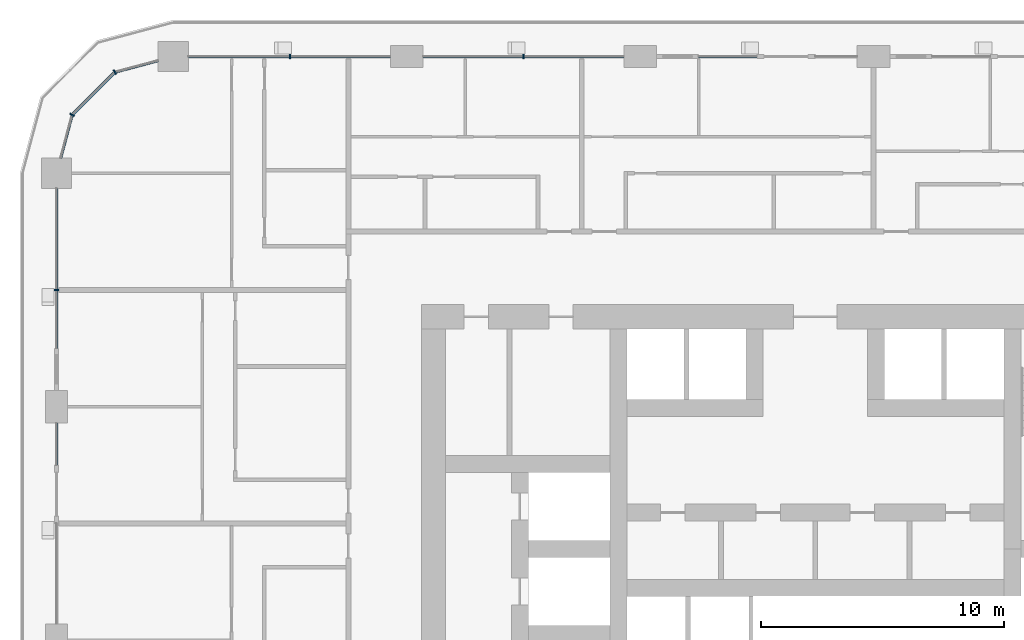
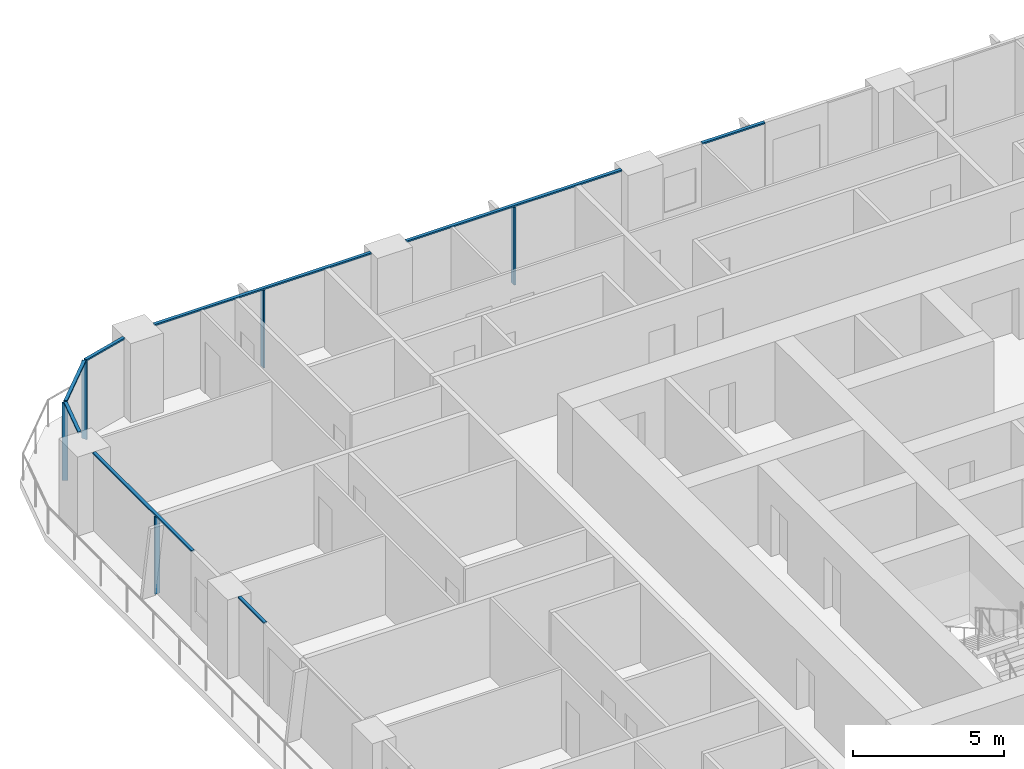
# One storey, part 5 of 21: 13 members, 6 elements without a shape of their own.
"""IFC4 building model written with IfcOpenShell, lengths in metres."""

from ifc_helpers import new_model, si_unit, direction, frame, origin, origin_2d, place, context, subcontext, project, spatial, rectangle, extrude, material, layer, layer_set, material_profile, profile_set, type_object, element, aggregate, save


model = new_model("IFC4")

# Units and contexts
model_context = context("Model", 3, precision=1e-05, world=origin(), true_north=direction((0.0, 1.0)))
body_context = subcontext(model_context, "Body", "Model", "MODEL_VIEW")
ifc_project = project(units=[si_unit("LENGTHUNIT", "METRE"), si_unit("AREAUNIT", "SQUARE_METRE"), si_unit("VOLUMEUNIT", "CUBIC_METRE"), si_unit("PLANEANGLEUNIT", "RADIAN"), si_unit("MASSUNIT", "GRAM", prefix="KILO")], contexts=[model_context])

# Site, building, storey
site_placement = place(None, origin())
site = spatial("IfcSite", under=ifc_project, at=site_placement, CompositionType="ELEMENT")
building_placement = place(site_placement, origin())
building = spatial("IfcBuilding", under=site, at=building_placement, Name="Madar Terraces", CompositionType="ELEMENT")
storey_placement = place(building_placement, frame((0.0, 0.0, 46.89990234375)))
storey = spatial("IfcBuildingStorey", under=building, at=storey_placement, Name="L11", CompositionType="ELEMENT", Elevation=46.89990234375)

# Curtain wall, member
ifc_material_1 = material(Name="Glass, ceramic frit dark grey, with black aluminium frame", Category="aluminium")
ifc_layer = layer(ifc_material_1, 0.199951171875)
ifc_layer_set = layer_set([ifc_layer], Name="Facade curtain wall, fritted glass")
curtain_wall_type = type_object("IfcCurtainWallType", Name="Facade curtain wall, fritted glass", PredefinedType="NOTDEFINED", material=ifc_layer_set)
curtain_wall_1_placement = place(storey_placement, origin())
curtain_wall_1 = element("IfcCurtainWall", 1, at=curtain_wall_1_placement, inside=storey, type_object=curtain_wall_type, Name="Outer skin curtain wall north bay 4", PredefinedType="NOTDEFINED")
ifc_material_2 = material(Name="Aluminium, black anodised", Category="aluminium")
ifc_material_profile_1 = material_profile(ifc_material_2, rectangle(XDim=0.199951171875, YDim=0.06005859375, at=origin_2d()), Name="Facade mullion 60x200")
ifc_profile_set_1 = profile_set([ifc_material_profile_1], Name="Aluminium, black anodised")
member_type_1 = type_object("IfcMemberType", Name="Facade mullion 60x200", PredefinedType="MULLION", material=ifc_profile_set_1)
member_1_placement = place(storey_placement, frame((19.199951171875, 48.0, 0.0), z_axis=(0.0, 0.0, 1.0), x_axis=(0.0, -1.0, 0.0)))
member_1 = element("IfcMember", 2, at=member_1_placement, type_object=member_type_1, Name="Mullion 1", PredefinedType="MULLION", context=body_context, shape_type="SweptSolid", body=[
    extrude(rectangle(XDim=0.199951171875, YDim=0.06005859375, at=origin_2d()), origin(), (0.0, 0.0, 1.0), 3.14013671875),
])

curtain_wall_2_placement = place(storey_placement, origin())
curtain_wall_2 = element("IfcCurtainWall", 3, at=curtain_wall_2_placement, inside=storey, type_object=curtain_wall_type, Name="Outer skin curtain wall north bay 5", PredefinedType="NOTDEFINED")
member_2_placement = place(storey_placement, frame((9.60009765625, 48.0, 0.0), z_axis=(0.0, 0.0, 1.0), x_axis=(0.0, -1.0, 0.0)))
member_2 = element("IfcMember", 4, at=member_2_placement, type_object=member_type_1, Name="Mullion 1", PredefinedType="MULLION", context=body_context, shape_type="SweptSolid", body=[
    extrude(rectangle(XDim=0.199951171875, YDim=0.06005859375, at=origin_2d()), origin(), (0.0, 0.0, 1.0), 3.14013671875),
])

curtain_wall_3_placement = place(storey_placement, origin())
curtain_wall_3 = element("IfcCurtainWall", 5, at=curtain_wall_3_placement, inside=storey, type_object=curtain_wall_type, Name="Outer skin curtain wall west bay 1", PredefinedType="NOTDEFINED")
member_3_placement = place(storey_placement, frame((0.0, 38.39990234375, 0.0), z_axis=(0.0, 0.0, 1.0), x_axis=(1.0, 0.0, 0.0)))
member_3 = element("IfcMember", 6, at=member_3_placement, type_object=member_type_1, Name="Mullion 1", PredefinedType="MULLION", context=body_context, shape_type="SweptSolid", body=[
    extrude(rectangle(XDim=0.199951171875, YDim=0.06005859375, at=origin_2d()), origin(), (0.0, 0.0, 1.0), 3.14013671875),
])

# Curtain wall, members
curtain_wall_4_placement = place(storey_placement, origin())
curtain_wall_4 = element("IfcCurtainWall", 7, at=curtain_wall_4_placement, inside=storey, type_object=curtain_wall_type, Name="Outer skin curtain wall north-west corner", PredefinedType="NOTDEFINED")
member_4_placement = place(storey_placement, frame((2.39990234375, 47.35693359375, 0.0), z_axis=(0.0, 0.0, 1.0), x_axis=(0.499999989586, -0.866025409797, 0.0)))
member_4 = element("IfcMember", 8, at=member_4_placement, type_object=member_type_1, Name="Mullion 1", PredefinedType="MULLION", context=body_context, shape_type="SweptSolid", body=[
    extrude(rectangle(XDim=0.199951171875, YDim=0.06005859375, at=origin_2d()), origin(), (0.0, 0.0, 1.0), 3.14013671875),
])
member_5_placement = place(storey_placement, frame((0.64306640625, 45.60009765625, 0.0), z_axis=(0.0, 0.0, 1.0), x_axis=(0.866025409797, -0.499999989586, 0.0)))
member_5 = element("IfcMember", 9, at=member_5_placement, type_object=member_type_1, Name="Mullion 2", PredefinedType="MULLION", context=body_context, shape_type="SweptSolid", body=[
    extrude(rectangle(XDim=0.199951171875, YDim=0.06005859375, at=origin_2d()), origin(), (0.0, 0.0, 1.0), 3.14013671875),
])

# Curtain wall, member
curtain_wall_5_placement = place(storey_placement, origin())
curtain_wall_5 = element("IfcCurtainWall", 10, at=curtain_wall_5_placement, inside=storey, type_object=curtain_wall_type, Name="Outer skin curtain wall north bay 3", PredefinedType="NOTDEFINED")
ifc_material_3 = material(Name="Aluminium, black anodised", Category="aluminium")
ifc_material_profile_2 = material_profile(ifc_material_3, rectangle(XDim=0.1201171875, YDim=0.06005859375, at=origin_2d()), Name="Facade transom 60x120")
ifc_profile_set_2 = profile_set([ifc_material_profile_2], Name="Aluminium, black anodised")
member_type_2 = type_object("IfcMemberType", Name="Facade transom 60x120", PredefinedType="USERDEFINED", material=ifc_profile_set_2)
member_6_placement = place(storey_placement, frame((28.800048828125, 48.0, 3.170166015625), z_axis=(-1.0, 0.0, 0.0), x_axis=(0.0, -1.0, 0.0)))
member_6 = element("IfcMember", 11, at=member_6_placement, type_object=member_type_2, Name="Transom 2", ObjectType="TRANSOM", PredefinedType="USERDEFINED", context=body_context, shape_type="SweptSolid", body=[
    extrude(rectangle(XDim=0.1201171875, YDim=0.06005859375, at=origin_2d()), origin(), (0.0, 0.0, 1.0), 2.400146484375),
])
aggregate(curtain_wall_5, [member_6])

# Member
member_7_placement = place(storey_placement, frame((23.324951171875, 48.0, 3.170166015625), z_axis=(-1.0, 0.0, 0.0), x_axis=(0.0, -1.0, 0.0)))
member_7 = element("IfcMember", 12, at=member_7_placement, type_object=member_type_2, Name="Transom 1", ObjectType="TRANSOM", PredefinedType="USERDEFINED", context=body_context, shape_type="SweptSolid", body=[
    extrude(rectangle(XDim=0.1201171875, YDim=0.06005859375, at=origin_2d()), origin(), (0.0, 0.0, 1.0), 8.25),
])

aggregate(curtain_wall_1, [member_1, member_7])

member_8_placement = place(storey_placement, frame((13.72509765625, 48.0, 3.170166015625), z_axis=(-1.0, 0.0, 0.0), x_axis=(0.0, -1.0, 0.0)))
member_8 = element("IfcMember", 13, at=member_8_placement, type_object=member_type_2, Name="Transom 1", ObjectType="TRANSOM", PredefinedType="USERDEFINED", context=body_context, shape_type="SweptSolid", body=[
    extrude(rectangle(XDim=0.1201171875, YDim=0.06005859375, at=origin_2d()), origin(), (0.0, 0.0, 1.0), 8.300048828125),
])

aggregate(curtain_wall_2, [member_2, member_8])

member_9_placement = place(storey_placement, frame((0.0, 42.574951171875, 3.170166015625), z_axis=(0.0, -1.0, 0.0), x_axis=(1.0, 0.0, 0.0)))
member_9 = element("IfcMember", 14, at=member_9_placement, type_object=member_type_2, Name="Transom 1", ObjectType="TRANSOM", PredefinedType="USERDEFINED", context=body_context, shape_type="SweptSolid", body=[
    extrude(rectangle(XDim=0.1201171875, YDim=0.06005859375, at=origin_2d()), origin(), (0.0, 0.0, 1.0), 6.574951171875),
])

aggregate(curtain_wall_3, [member_3, member_9])

# Curtain wall, member
curtain_wall_6_placement = place(storey_placement, origin())
curtain_wall_6 = element("IfcCurtainWall", 15, at=curtain_wall_6_placement, inside=storey, type_object=curtain_wall_type, Name="Outer skin curtain wall west bay 2", PredefinedType="NOTDEFINED")
member_10_placement = place(storey_placement, frame((0.0, 32.925048828125, 3.170166015625), z_axis=(0.0, -1.0, 0.0), x_axis=(1.0, 0.0, 0.0)))
member_10 = element("IfcMember", 16, at=member_10_placement, type_object=member_type_2, Name="Transom 1", ObjectType="TRANSOM", PredefinedType="USERDEFINED", context=body_context, shape_type="SweptSolid", body=[
    extrude(rectangle(XDim=0.1201171875, YDim=0.06005859375, at=origin_2d()), origin(), (0.0, 0.0, 1.0), 1.72509765625),
])
aggregate(curtain_wall_6, [member_10])

# Member
member_11_placement = place(storey_placement, frame((4.175048828125, 47.83251953125, 3.170166015625), z_axis=(-0.965938406667, -0.258772089929, 0.0), x_axis=(0.258772089929, -0.965938406667, 0.0)))
member_11 = element("IfcMember", 17, at=member_11_placement, type_object=member_type_2, Name="Transom 1", ObjectType="TRANSOM", PredefinedType="USERDEFINED", context=body_context, shape_type="SweptSolid", body=[
    extrude(rectangle(XDim=0.1201171875, YDim=0.06005859375, at=origin_2d()), origin(), (0.0, 0.0, 1.0), 1.8076171875),
])

member_12_placement = place(storey_placement, frame((2.37890625, 47.335693359375, 3.170166015625), z_axis=(-0.707106781187, -0.707106781187, 0.0), x_axis=(0.707106781187, -0.707106781187, 0.0)))
member_12 = element("IfcMember", 18, at=member_12_placement, type_object=member_type_2, Name="Transom 2", ObjectType="TRANSOM", PredefinedType="USERDEFINED", context=body_context, shape_type="SweptSolid", body=[
    extrude(rectangle(XDim=0.1201171875, YDim=0.06005859375, at=origin_2d()), origin(), (0.0, 0.0, 1.0), 2.4248046875),
])

member_13_placement = place(storey_placement, frame((0.63525390625, 45.571044921875, 3.170166015625), z_axis=(-0.258772089929, -0.965938406667, 0.0), x_axis=(0.965938406667, -0.258772089929, 0.0)))
member_13 = element("IfcMember", 19, at=member_13_placement, type_object=member_type_2, Name="Transom 3", ObjectType="TRANSOM", PredefinedType="USERDEFINED", context=body_context, shape_type="SweptSolid", body=[
    extrude(rectangle(XDim=0.1201171875, YDim=0.06005859375, at=origin_2d()), origin(), (0.0, 0.0, 1.0), 1.8076171875),
])

aggregate(curtain_wall_4, [member_4, member_11, member_5, member_12, member_13])

save(model, "model.ifc")
